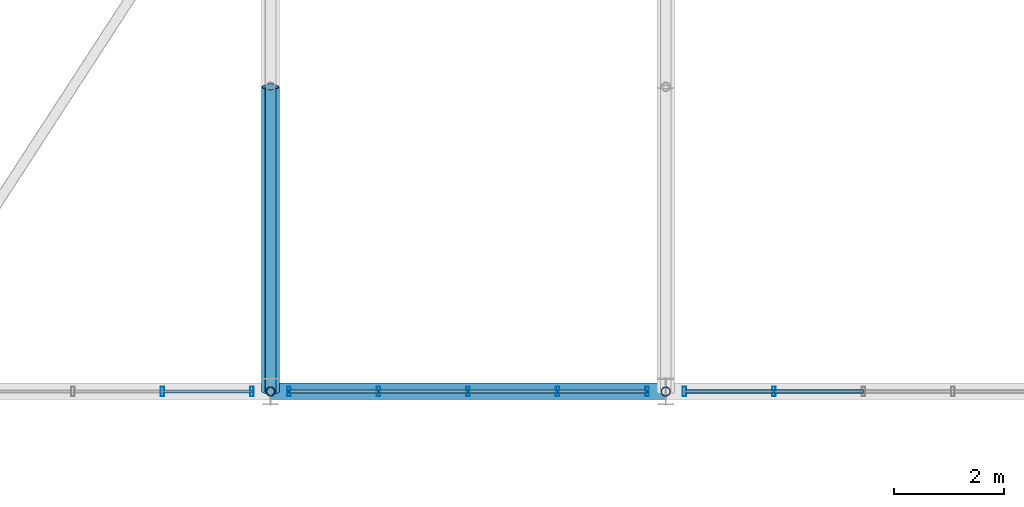
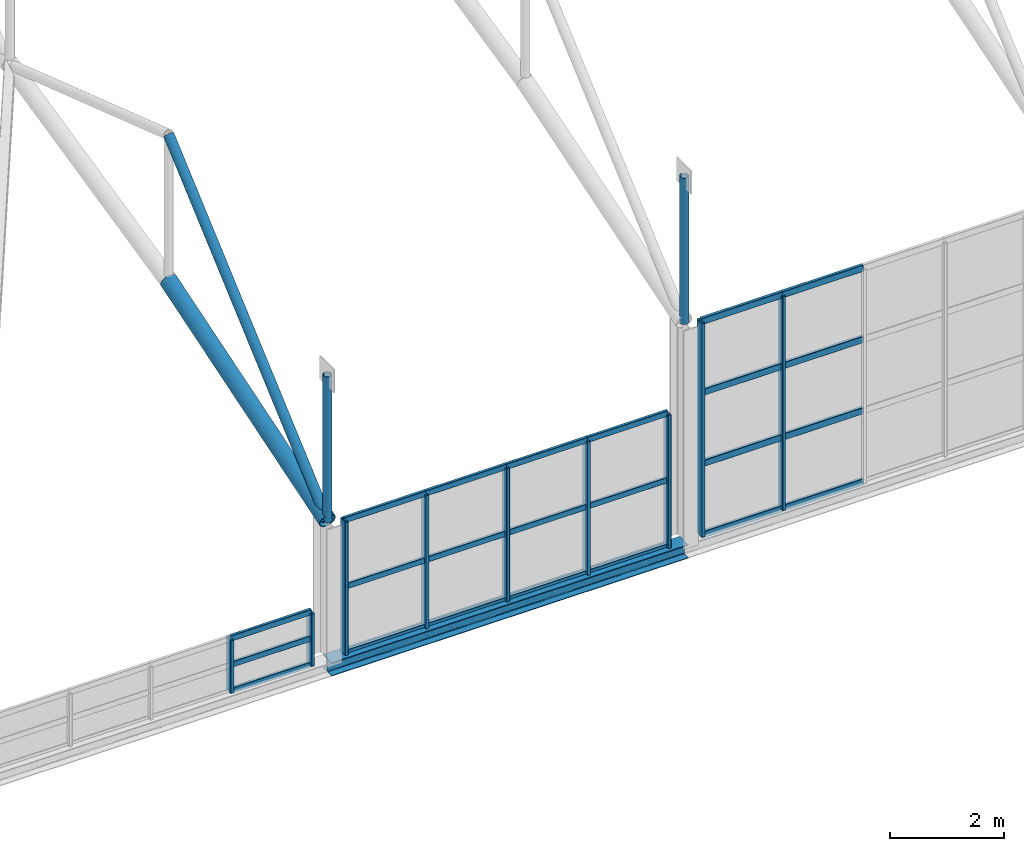
# One storey, part 40 of 153: 36 members, 1 beam, 3 elements without a shape of their own.
"""IFC4 building model written with IfcOpenShell, lengths in metres."""

from ifc_helpers import new_model, si_unit, derived_unit, direction, frame, origin, origin_2d, place, context, subcontext, project, spatial, hollow_rectangle, hollow_circle, i_section, extrude, material, material_profile, profile_set, type_object, element, aggregate, save


model = new_model("IFC4")

# Units and contexts
model_context = context("Model", 3, precision=1e-05, world=origin(), true_north=direction((0.0, 1.0)))
body_context = subcontext(model_context, "Body", "Model", "MODEL_VIEW")
ifc_project = project(units=[si_unit("LENGTHUNIT", "METRE"), si_unit("AREAUNIT", "SQUARE_METRE"), si_unit("VOLUMEUNIT", "CUBIC_METRE"), si_unit("PLANEANGLEUNIT", "RADIAN"), si_unit("MASSUNIT", "GRAM", prefix="KILO"), derived_unit("THERMALTRANSMITTANCEUNIT", [(si_unit("POWERUNIT", "WATT"), 1), (si_unit("LENGTHUNIT", "METRE"), -2), (si_unit("THERMODYNAMICTEMPERATUREUNIT", "KELVIN"), -1)])], contexts=[model_context])

# Site, building, storey
site_placement = place(None, origin())
site = spatial("IfcSite", under=ifc_project, at=site_placement, CompositionType="ELEMENT")
building_placement = place(site_placement, origin())
building = spatial("IfcBuilding", under=site, at=building_placement, Name="Keldorne Ridge Multi-Sports Centre", CompositionType="ELEMENT")
storey_placement = place(building_placement, frame((0.0, 0.0, 9.60009765625)))
storey = spatial("IfcBuildingStorey", under=building, at=storey_placement, Name="L02", CompositionType="ELEMENT", Elevation=9.60009765625)

# Beam
ifc_material_1 = material(Name="Steel S355", Category="steel")
ifc_material_profile_1 = material_profile(ifc_material_1, i_section(OverallWidth=0.300048828125, OverallDepth=0.2900390625, WebThickness=0.008544921875, FlangeThickness=0.013916015625, FilletRadius=0.027099609375, at=origin_2d()), Name="HEA 300")
ifc_profile_set_1 = profile_set([ifc_material_profile_1], Name="Steel S355")
beam_type = type_object("IfcBeamType", Name="BM-SP-04", PredefinedType="SPANDREL", material=ifc_profile_set_1)
beam_placement = place(storey_placement, frame((56.39990234375, 9.60009765625, -0.150146484375), z_axis=(1.0, 0.0, 0.0), x_axis=(0.0, 1.0, 0.0)))
element("IfcBeam", 1, at=beam_placement, inside=storey, type_object=beam_type, Name="Main Hall south spandrel L02.8", PredefinedType="SPANDREL", context=body_context, shape_type="SweptSolid", body=[
    extrude(i_section(OverallWidth=0.300048828125, OverallDepth=0.2900390625, WebThickness=0.008544921875, FlangeThickness=0.013916015625, FilletRadius=0.027099609375, at=origin_2d()), origin(), (0.0, 0.0, 1.0), 7.2001953125),
])

# Curtain wall, members
ifc_material_2 = material(Name="Anodized aluminium", Category="aluminium")
curtain_wall_type_1 = type_object("IfcCurtainWallType", Name="CW-CW-02", PredefinedType="NOTDEFINED", material=ifc_material_2)
curtain_wall_1_placement = place(storey_placement, origin())
curtain_wall_1 = element("IfcCurtainWall", 2, at=curtain_wall_1_placement, inside=storey, type_object=curtain_wall_type_1, Name="Main Hall south high clerestory 018", PredefinedType="NOTDEFINED")
ifc_material_profile_2 = material_profile(ifc_material_2, hollow_rectangle(XDim=0.06494140625, YDim=0.179931640625, WallThickness=0.00439453125, InnerFilletRadius=0.00439453125, OuterFilletRadius=0.009033203125, at=origin_2d()), Name="ALU MULLION 180x65x4.5")
ifc_profile_set_2 = profile_set([ifc_material_profile_2], Name="Anodized aluminium")
member_type_1 = type_object("IfcMemberType", Name="MEM-ML-01", PredefinedType="MULLION", material=ifc_profile_set_2)
member_1_placement = place(storey_placement, frame((54.429931640625, 9.60009765625, 0.0), z_axis=(0.0, 0.0, 1.0), x_axis=(1.0, 0.0, 0.0)))
member_1 = element("IfcMember", 3, at=member_1_placement, type_object=member_type_1, Name="CW-018 vertical mullion 4", PredefinedType="MULLION", context=body_context, shape_type="SweptSolid", body=[
    extrude(hollow_rectangle(XDim=0.06494140625, YDim=0.179931640625, WallThickness=0.00439453125, InnerFilletRadius=0.00439453125, OuterFilletRadius=0.009033203125, at=origin_2d()), origin(), (0.0, 0.0, 1.0), 1.119873046875),
])
member_2_placement = place(storey_placement, frame((56.06005859375, 9.60009765625, 0.0), z_axis=(0.0, 0.0, 1.0), x_axis=(1.0, 0.0, 0.0)))
member_2 = element("IfcMember", 4, at=member_2_placement, type_object=member_type_1, Name="CW-018 vertical mullion 5", PredefinedType="MULLION", context=body_context, shape_type="SweptSolid", body=[
    extrude(hollow_rectangle(XDim=0.06494140625, YDim=0.179931640625, WallThickness=0.00439453125, InnerFilletRadius=0.00439453125, OuterFilletRadius=0.009033203125, at=origin_2d()), origin(), (0.0, 0.0, 1.0), 1.119873046875),
])

curtain_wall_type_2 = type_object("IfcCurtainWallType", Name="CW-CW-05", PredefinedType="NOTDEFINED", material=ifc_material_2)
curtain_wall_2_placement = place(storey_placement, origin())
curtain_wall_2 = element("IfcCurtainWall", 5, at=curtain_wall_2_placement, inside=storey, type_object=curtain_wall_type_2, Name="Main Hall south high clerestory 021", PredefinedType="NOTDEFINED")
member_3_placement = place(storey_placement, frame((56.739990234375, 9.60009765625, 0.0), z_axis=(0.0, 0.0, 1.0), x_axis=(1.0, 0.0, 0.0)))
member_3 = element("IfcMember", 6, at=member_3_placement, type_object=member_type_1, Name="CW-021 vertical mullion 1", PredefinedType="MULLION", context=body_context, shape_type="SweptSolid", body=[
    extrude(hollow_rectangle(XDim=0.06494140625, YDim=0.179931640625, WallThickness=0.00439453125, InnerFilletRadius=0.00439453125, OuterFilletRadius=0.009033203125, at=origin_2d()), origin(), (0.0, 0.0, 1.0), 2.83984375),
])
member_4_placement = place(storey_placement, frame((58.3701171875, 9.60009765625, 0.0), z_axis=(0.0, 0.0, 1.0), x_axis=(1.0, 0.0, 0.0)))
member_4 = element("IfcMember", 7, at=member_4_placement, type_object=member_type_1, Name="CW-021 vertical mullion 2", PredefinedType="MULLION", context=body_context, shape_type="SweptSolid", body=[
    extrude(hollow_rectangle(XDim=0.06494140625, YDim=0.179931640625, WallThickness=0.00439453125, InnerFilletRadius=0.00439453125, OuterFilletRadius=0.009033203125, at=origin_2d()), origin(), (0.0, 0.0, 1.0), 2.83984375),
])
member_5_placement = place(storey_placement, frame((60.0, 9.60009765625, 0.0), z_axis=(0.0, 0.0, 1.0), x_axis=(1.0, 0.0, 0.0)))
member_5 = element("IfcMember", 8, at=member_5_placement, type_object=member_type_1, Name="CW-021 vertical mullion 3", PredefinedType="MULLION", context=body_context, shape_type="SweptSolid", body=[
    extrude(hollow_rectangle(XDim=0.06494140625, YDim=0.179931640625, WallThickness=0.00439453125, InnerFilletRadius=0.00439453125, OuterFilletRadius=0.009033203125, at=origin_2d()), origin(), (0.0, 0.0, 1.0), 2.83984375),
])
member_6_placement = place(storey_placement, frame((61.6298828125, 9.60009765625, 0.0), z_axis=(0.0, 0.0, 1.0), x_axis=(1.0, 0.0, 0.0)))
member_6 = element("IfcMember", 9, at=member_6_placement, type_object=member_type_1, Name="CW-021 vertical mullion 4", PredefinedType="MULLION", context=body_context, shape_type="SweptSolid", body=[
    extrude(hollow_rectangle(XDim=0.06494140625, YDim=0.179931640625, WallThickness=0.00439453125, InnerFilletRadius=0.00439453125, OuterFilletRadius=0.009033203125, at=origin_2d()), origin(), (0.0, 0.0, 1.0), 2.83984375),
])
member_7_placement = place(storey_placement, frame((63.260009765625, 9.60009765625, 0.0), z_axis=(0.0, 0.0, 1.0), x_axis=(1.0, 0.0, 0.0)))
member_7 = element("IfcMember", 10, at=member_7_placement, type_object=member_type_1, Name="CW-021 vertical mullion 5", PredefinedType="MULLION", context=body_context, shape_type="SweptSolid", body=[
    extrude(hollow_rectangle(XDim=0.06494140625, YDim=0.179931640625, WallThickness=0.00439453125, InnerFilletRadius=0.00439453125, OuterFilletRadius=0.009033203125, at=origin_2d()), origin(), (0.0, 0.0, 1.0), 2.83984375),
])

curtain_wall_type_3 = type_object("IfcCurtainWallType", Name="CW-CW-08", PredefinedType="NOTDEFINED", material=ifc_material_2)
curtain_wall_3_placement = place(storey_placement, origin())
curtain_wall_3 = element("IfcCurtainWall", 11, at=curtain_wall_3_placement, inside=storey, type_object=curtain_wall_type_3, Name="Main Hall south high clerestory 024", PredefinedType="NOTDEFINED")
member_8_placement = place(storey_placement, frame((63.93994140625, 9.60009765625, 0.0), z_axis=(0.0, 0.0, 1.0), x_axis=(1.0, 0.0, 0.0)))
member_8 = element("IfcMember", 12, at=member_8_placement, type_object=member_type_1, Name="CW-024 vertical mullion 1", PredefinedType="MULLION", context=body_context, shape_type="SweptSolid", body=[
    extrude(hollow_rectangle(XDim=0.06494140625, YDim=0.179931640625, WallThickness=0.00439453125, InnerFilletRadius=0.00439453125, OuterFilletRadius=0.009033203125, at=origin_2d()), origin(), (0.0, 0.0, 1.0), 4.559814453125),
])
member_9_placement = place(storey_placement, frame((65.570068359375, 9.60009765625, 0.0), z_axis=(0.0, 0.0, 1.0), x_axis=(1.0, 0.0, 0.0)))
member_9 = element("IfcMember", 13, at=member_9_placement, type_object=member_type_1, Name="CW-024 vertical mullion 2", PredefinedType="MULLION", context=body_context, shape_type="SweptSolid", body=[
    extrude(hollow_rectangle(XDim=0.06494140625, YDim=0.179931640625, WallThickness=0.00439453125, InnerFilletRadius=0.00439453125, OuterFilletRadius=0.009033203125, at=origin_2d()), origin(), (0.0, 0.0, 1.0), 4.559814453125),
])

# Members
ifc_material_profile_3 = material_profile(ifc_material_1, hollow_circle(Radius=0.161865234375, WallThickness=0.01611328125, at=origin_2d()), Name="CHS 323.9x16")
ifc_profile_set_3 = profile_set([ifc_material_profile_3], Name="Steel S355")
member_type_2 = type_object("IfcMemberType", Name="MEM-TC-02", PredefinedType="CHORD", material=ifc_profile_set_3)
member_10_placement = place(storey_placement, frame((56.39990234375, 9.60009765625, 2.93994140625), z_axis=(0.0, 0.953709395146, 0.300729761763), x_axis=(-1.0, 0.0, 0.0)))
element("IfcMember", 14, at=member_10_placement, inside=storey, type_object=member_type_2, Name="Main Hall ROOF TRUSS AT-08 bottom chord 1", PredefinedType="CHORD", context=body_context, shape_type="SweptSolid", body=[
    extrude(hollow_circle(Radius=0.161865234375, WallThickness=0.01611328125, at=origin_2d()), origin(), (0.0, 0.0, 1.0), 5.819091796875),
])
ifc_material_profile_4 = material_profile(ifc_material_1, hollow_circle(Radius=0.096923828125, WallThickness=0.010009765625, at=origin_2d()), Name="CHS 193.7x10")
ifc_profile_set_4 = profile_set([ifc_material_profile_4], Name="Steel S355")
member_type_3 = type_object("IfcMemberType", Name="MEM-TD-01", PredefinedType="BRACE", material=ifc_profile_set_4)
member_11_placement = place(storey_placement, frame((56.39990234375, 9.60009765625, 2.93994140625), z_axis=(0.0, 0.751650110512, 0.659562060285), x_axis=(-1.0, 0.0, 0.0)))
element("IfcMember", 15, at=member_11_placement, inside=storey, type_object=member_type_3, Name="Main Hall ROOF TRUSS AT-08 diagonal 1", PredefinedType="BRACE", context=body_context, shape_type="SweptSolid", body=[
    extrude(hollow_circle(Radius=0.096923828125, WallThickness=0.010009765625, at=origin_2d()), origin(), (0.0, 0.0, 1.0), 7.383544921875),
])

# Member
ifc_material_profile_5 = material_profile(ifc_material_2, hollow_rectangle(XDim=0.06494140625, YDim=0.139892578125, WallThickness=0.00439453125, InnerFilletRadius=0.00439453125, OuterFilletRadius=0.009033203125, at=origin_2d()), Name="ALU TRANSOM 140x65x4.5")
ifc_profile_set_5 = profile_set([ifc_material_profile_5], Name="Anodized aluminium")
member_type_4 = type_object("IfcMemberType", Name="MEM-TR-01", PredefinedType="USERDEFINED", material=ifc_profile_set_5)
member_12_placement = place(storey_placement, frame((63.93994140625, 9.60009765625, 0.0), z_axis=(1.0, 0.0, 0.0), x_axis=(0.0, 1.0, 0.0)))
member_12 = element("IfcMember", 16, at=member_12_placement, type_object=member_type_4, Name="CW-024 transom 1.1", ObjectType="TRANSOM", PredefinedType="USERDEFINED", context=body_context, shape_type="SweptSolid", body=[
    extrude(hollow_rectangle(XDim=0.06494140625, YDim=0.139892578125, WallThickness=0.00439453125, InnerFilletRadius=0.00439453125, OuterFilletRadius=0.009033203125, at=origin_2d()), origin(), (0.0, 0.0, 1.0), 1.630126953125),
])

member_13_placement = place(storey_placement, frame((63.93994140625, 9.60009765625, 1.52001953125), z_axis=(1.0, 0.0, 0.0), x_axis=(0.0, 1.0, 0.0)))
member_13 = element("IfcMember", 17, at=member_13_placement, type_object=member_type_4, Name="CW-024 transom 1.2", ObjectType="TRANSOM", PredefinedType="USERDEFINED", context=body_context, shape_type="SweptSolid", body=[
    extrude(hollow_rectangle(XDim=0.06494140625, YDim=0.139892578125, WallThickness=0.00439453125, InnerFilletRadius=0.00439453125, OuterFilletRadius=0.009033203125, at=origin_2d()), origin(), (0.0, 0.0, 1.0), 1.630126953125),
])

member_14_placement = place(storey_placement, frame((63.93994140625, 9.60009765625, 3.039794921875), z_axis=(1.0, 0.0, 0.0), x_axis=(0.0, 1.0, 0.0)))
member_14 = element("IfcMember", 18, at=member_14_placement, type_object=member_type_4, Name="CW-024 transom 1.3", ObjectType="TRANSOM", PredefinedType="USERDEFINED", context=body_context, shape_type="SweptSolid", body=[
    extrude(hollow_rectangle(XDim=0.06494140625, YDim=0.139892578125, WallThickness=0.00439453125, InnerFilletRadius=0.00439453125, OuterFilletRadius=0.009033203125, at=origin_2d()), origin(), (0.0, 0.0, 1.0), 1.630126953125),
])

member_15_placement = place(storey_placement, frame((63.93994140625, 9.60009765625, 4.559814453125), z_axis=(1.0, 0.0, 0.0), x_axis=(0.0, 1.0, 0.0)))
member_15 = element("IfcMember", 19, at=member_15_placement, type_object=member_type_4, Name="CW-024 transom 1.4", ObjectType="TRANSOM", PredefinedType="USERDEFINED", context=body_context, shape_type="SweptSolid", body=[
    extrude(hollow_rectangle(XDim=0.06494140625, YDim=0.139892578125, WallThickness=0.00439453125, InnerFilletRadius=0.00439453125, OuterFilletRadius=0.009033203125, at=origin_2d()), origin(), (0.0, 0.0, 1.0), 1.630126953125),
])

member_16_placement = place(storey_placement, frame((65.570068359375, 9.60009765625, 0.0), z_axis=(1.0, 0.0, 0.0), x_axis=(0.0, 1.0, 0.0)))
member_16 = element("IfcMember", 20, at=member_16_placement, type_object=member_type_4, Name="CW-024 transom 2.1", ObjectType="TRANSOM", PredefinedType="USERDEFINED", context=body_context, shape_type="SweptSolid", body=[
    extrude(hollow_rectangle(XDim=0.06494140625, YDim=0.139892578125, WallThickness=0.00439453125, InnerFilletRadius=0.00439453125, OuterFilletRadius=0.009033203125, at=origin_2d()), origin(), (0.0, 0.0, 1.0), 1.6298828125),
])

member_17_placement = place(storey_placement, frame((65.570068359375, 9.60009765625, 1.52001953125), z_axis=(1.0, 0.0, 0.0), x_axis=(0.0, 1.0, 0.0)))
member_17 = element("IfcMember", 21, at=member_17_placement, type_object=member_type_4, Name="CW-024 transom 2.2", ObjectType="TRANSOM", PredefinedType="USERDEFINED", context=body_context, shape_type="SweptSolid", body=[
    extrude(hollow_rectangle(XDim=0.06494140625, YDim=0.139892578125, WallThickness=0.00439453125, InnerFilletRadius=0.00439453125, OuterFilletRadius=0.009033203125, at=origin_2d()), origin(), (0.0, 0.0, 1.0), 1.6298828125),
])

member_18_placement = place(storey_placement, frame((65.570068359375, 9.60009765625, 3.039794921875), z_axis=(1.0, 0.0, 0.0), x_axis=(0.0, 1.0, 0.0)))
member_18 = element("IfcMember", 22, at=member_18_placement, type_object=member_type_4, Name="CW-024 transom 2.3", ObjectType="TRANSOM", PredefinedType="USERDEFINED", context=body_context, shape_type="SweptSolid", body=[
    extrude(hollow_rectangle(XDim=0.06494140625, YDim=0.139892578125, WallThickness=0.00439453125, InnerFilletRadius=0.00439453125, OuterFilletRadius=0.009033203125, at=origin_2d()), origin(), (0.0, 0.0, 1.0), 1.6298828125),
])

member_19_placement = place(storey_placement, frame((65.570068359375, 9.60009765625, 4.559814453125), z_axis=(1.0, 0.0, 0.0), x_axis=(0.0, 1.0, 0.0)))
member_19 = element("IfcMember", 23, at=member_19_placement, type_object=member_type_4, Name="CW-024 transom 2.4", ObjectType="TRANSOM", PredefinedType="USERDEFINED", context=body_context, shape_type="SweptSolid", body=[
    extrude(hollow_rectangle(XDim=0.06494140625, YDim=0.139892578125, WallThickness=0.00439453125, InnerFilletRadius=0.00439453125, OuterFilletRadius=0.009033203125, at=origin_2d()), origin(), (0.0, 0.0, 1.0), 1.6298828125),
])

aggregate(curtain_wall_3, [member_8, member_9, member_12, member_13, member_14, member_15, member_16, member_17, member_18, member_19])

ifc_material_profile_6 = material_profile(ifc_material_2, hollow_rectangle(XDim=0.06005859375, YDim=0.1201171875, WallThickness=0.00390625, InnerFilletRadius=0.00390625, OuterFilletRadius=0.008056640625, at=origin_2d()), Name="ALU TRANSOM 120x60x4")
ifc_profile_set_6 = profile_set([ifc_material_profile_6], Name="Anodized aluminium")
member_type_5 = type_object("IfcMemberType", Name="MEM-TR-02", PredefinedType="USERDEFINED", material=ifc_profile_set_6)
member_20_placement = place(storey_placement, frame((54.429931640625, 9.60009765625, 0.0), z_axis=(1.0, 0.0, 0.0), x_axis=(0.0, 1.0, 0.0)))
member_20 = element("IfcMember", 24, at=member_20_placement, type_object=member_type_5, Name="CW-018 transom 4.1", ObjectType="TRANSOM", PredefinedType="USERDEFINED", context=body_context, shape_type="SweptSolid", body=[
    extrude(hollow_rectangle(XDim=0.06005859375, YDim=0.1201171875, WallThickness=0.00390625, InnerFilletRadius=0.00390625, OuterFilletRadius=0.008056640625, at=origin_2d()), origin(), (0.0, 0.0, 1.0), 1.630126953125),
])

member_21_placement = place(storey_placement, frame((54.429931640625, 9.60009765625, 0.559814453125), z_axis=(1.0, 0.0, 0.0), x_axis=(0.0, 1.0, 0.0)))
member_21 = element("IfcMember", 25, at=member_21_placement, type_object=member_type_5, Name="CW-018 transom 4.2", ObjectType="TRANSOM", PredefinedType="USERDEFINED", context=body_context, shape_type="SweptSolid", body=[
    extrude(hollow_rectangle(XDim=0.06005859375, YDim=0.1201171875, WallThickness=0.00390625, InnerFilletRadius=0.00390625, OuterFilletRadius=0.008056640625, at=origin_2d()), origin(), (0.0, 0.0, 1.0), 1.630126953125),
])

member_22_placement = place(storey_placement, frame((54.429931640625, 9.60009765625, 1.119873046875), z_axis=(1.0, 0.0, 0.0), x_axis=(0.0, 1.0, 0.0)))
member_22 = element("IfcMember", 26, at=member_22_placement, type_object=member_type_5, Name="CW-018 transom 4.3", ObjectType="TRANSOM", PredefinedType="USERDEFINED", context=body_context, shape_type="SweptSolid", body=[
    extrude(hollow_rectangle(XDim=0.06005859375, YDim=0.1201171875, WallThickness=0.00390625, InnerFilletRadius=0.00390625, OuterFilletRadius=0.008056640625, at=origin_2d()), origin(), (0.0, 0.0, 1.0), 1.630126953125),
])

aggregate(curtain_wall_1, [member_1, member_2, member_20, member_21, member_22])

member_23_placement = place(storey_placement, frame((56.739990234375, 9.60009765625, 0.0), z_axis=(1.0, 0.0, 0.0), x_axis=(0.0, 1.0, 0.0)))
member_23 = element("IfcMember", 27, at=member_23_placement, type_object=member_type_5, Name="CW-021 transom 1.1", ObjectType="TRANSOM", PredefinedType="USERDEFINED", context=body_context, shape_type="SweptSolid", body=[
    extrude(hollow_rectangle(XDim=0.06005859375, YDim=0.1201171875, WallThickness=0.00390625, InnerFilletRadius=0.00390625, OuterFilletRadius=0.008056640625, at=origin_2d()), origin(), (0.0, 0.0, 1.0), 1.630126953125),
])

member_24_placement = place(storey_placement, frame((56.739990234375, 9.60009765625, 1.419921875), z_axis=(1.0, 0.0, 0.0), x_axis=(0.0, 1.0, 0.0)))
member_24 = element("IfcMember", 28, at=member_24_placement, type_object=member_type_5, Name="CW-021 transom 1.2", ObjectType="TRANSOM", PredefinedType="USERDEFINED", context=body_context, shape_type="SweptSolid", body=[
    extrude(hollow_rectangle(XDim=0.06005859375, YDim=0.1201171875, WallThickness=0.00390625, InnerFilletRadius=0.00390625, OuterFilletRadius=0.008056640625, at=origin_2d()), origin(), (0.0, 0.0, 1.0), 1.630126953125),
])

member_25_placement = place(storey_placement, frame((56.739990234375, 9.60009765625, 2.83984375), z_axis=(1.0, 0.0, 0.0), x_axis=(0.0, 1.0, 0.0)))
member_25 = element("IfcMember", 29, at=member_25_placement, type_object=member_type_5, Name="CW-021 transom 1.3", ObjectType="TRANSOM", PredefinedType="USERDEFINED", context=body_context, shape_type="SweptSolid", body=[
    extrude(hollow_rectangle(XDim=0.06005859375, YDim=0.1201171875, WallThickness=0.00390625, InnerFilletRadius=0.00390625, OuterFilletRadius=0.008056640625, at=origin_2d()), origin(), (0.0, 0.0, 1.0), 1.630126953125),
])

member_26_placement = place(storey_placement, frame((58.3701171875, 9.60009765625, 0.0), z_axis=(1.0, 0.0, 0.0), x_axis=(0.0, 1.0, 0.0)))
member_26 = element("IfcMember", 30, at=member_26_placement, type_object=member_type_5, Name="CW-021 transom 2.1", ObjectType="TRANSOM", PredefinedType="USERDEFINED", context=body_context, shape_type="SweptSolid", body=[
    extrude(hollow_rectangle(XDim=0.06005859375, YDim=0.1201171875, WallThickness=0.00390625, InnerFilletRadius=0.00390625, OuterFilletRadius=0.008056640625, at=origin_2d()), origin(), (0.0, 0.0, 1.0), 1.6298828125),
])

member_27_placement = place(storey_placement, frame((58.3701171875, 9.60009765625, 1.419921875), z_axis=(1.0, 0.0, 0.0), x_axis=(0.0, 1.0, 0.0)))
member_27 = element("IfcMember", 31, at=member_27_placement, type_object=member_type_5, Name="CW-021 transom 2.2", ObjectType="TRANSOM", PredefinedType="USERDEFINED", context=body_context, shape_type="SweptSolid", body=[
    extrude(hollow_rectangle(XDim=0.06005859375, YDim=0.1201171875, WallThickness=0.00390625, InnerFilletRadius=0.00390625, OuterFilletRadius=0.008056640625, at=origin_2d()), origin(), (0.0, 0.0, 1.0), 1.6298828125),
])

member_28_placement = place(storey_placement, frame((58.3701171875, 9.60009765625, 2.83984375), z_axis=(1.0, 0.0, 0.0), x_axis=(0.0, 1.0, 0.0)))
member_28 = element("IfcMember", 32, at=member_28_placement, type_object=member_type_5, Name="CW-021 transom 2.3", ObjectType="TRANSOM", PredefinedType="USERDEFINED", context=body_context, shape_type="SweptSolid", body=[
    extrude(hollow_rectangle(XDim=0.06005859375, YDim=0.1201171875, WallThickness=0.00390625, InnerFilletRadius=0.00390625, OuterFilletRadius=0.008056640625, at=origin_2d()), origin(), (0.0, 0.0, 1.0), 1.6298828125),
])

member_29_placement = place(storey_placement, frame((60.0, 9.60009765625, 0.0), z_axis=(1.0, 0.0, 0.0), x_axis=(0.0, 1.0, 0.0)))
member_29 = element("IfcMember", 33, at=member_29_placement, type_object=member_type_5, Name="CW-021 transom 3.1", ObjectType="TRANSOM", PredefinedType="USERDEFINED", context=body_context, shape_type="SweptSolid", body=[
    extrude(hollow_rectangle(XDim=0.06005859375, YDim=0.1201171875, WallThickness=0.00390625, InnerFilletRadius=0.00390625, OuterFilletRadius=0.008056640625, at=origin_2d()), origin(), (0.0, 0.0, 1.0), 1.6298828125),
])

member_30_placement = place(storey_placement, frame((60.0, 9.60009765625, 1.419921875), z_axis=(1.0, 0.0, 0.0), x_axis=(0.0, 1.0, 0.0)))
member_30 = element("IfcMember", 34, at=member_30_placement, type_object=member_type_5, Name="CW-021 transom 3.2", ObjectType="TRANSOM", PredefinedType="USERDEFINED", context=body_context, shape_type="SweptSolid", body=[
    extrude(hollow_rectangle(XDim=0.06005859375, YDim=0.1201171875, WallThickness=0.00390625, InnerFilletRadius=0.00390625, OuterFilletRadius=0.008056640625, at=origin_2d()), origin(), (0.0, 0.0, 1.0), 1.6298828125),
])

member_31_placement = place(storey_placement, frame((60.0, 9.60009765625, 2.83984375), z_axis=(1.0, 0.0, 0.0), x_axis=(0.0, 1.0, 0.0)))
member_31 = element("IfcMember", 35, at=member_31_placement, type_object=member_type_5, Name="CW-021 transom 3.3", ObjectType="TRANSOM", PredefinedType="USERDEFINED", context=body_context, shape_type="SweptSolid", body=[
    extrude(hollow_rectangle(XDim=0.06005859375, YDim=0.1201171875, WallThickness=0.00390625, InnerFilletRadius=0.00390625, OuterFilletRadius=0.008056640625, at=origin_2d()), origin(), (0.0, 0.0, 1.0), 1.6298828125),
])

member_32_placement = place(storey_placement, frame((61.6298828125, 9.60009765625, 0.0), z_axis=(1.0, 0.0, 0.0), x_axis=(0.0, 1.0, 0.0)))
member_32 = element("IfcMember", 36, at=member_32_placement, type_object=member_type_5, Name="CW-021 transom 4.1", ObjectType="TRANSOM", PredefinedType="USERDEFINED", context=body_context, shape_type="SweptSolid", body=[
    extrude(hollow_rectangle(XDim=0.06005859375, YDim=0.1201171875, WallThickness=0.00390625, InnerFilletRadius=0.00390625, OuterFilletRadius=0.008056640625, at=origin_2d()), origin(), (0.0, 0.0, 1.0), 1.630126953125),
])

member_33_placement = place(storey_placement, frame((61.6298828125, 9.60009765625, 1.419921875), z_axis=(1.0, 0.0, 0.0), x_axis=(0.0, 1.0, 0.0)))
member_33 = element("IfcMember", 37, at=member_33_placement, type_object=member_type_5, Name="CW-021 transom 4.2", ObjectType="TRANSOM", PredefinedType="USERDEFINED", context=body_context, shape_type="SweptSolid", body=[
    extrude(hollow_rectangle(XDim=0.06005859375, YDim=0.1201171875, WallThickness=0.00390625, InnerFilletRadius=0.00390625, OuterFilletRadius=0.008056640625, at=origin_2d()), origin(), (0.0, 0.0, 1.0), 1.630126953125),
])

member_34_placement = place(storey_placement, frame((61.6298828125, 9.60009765625, 2.83984375), z_axis=(1.0, 0.0, 0.0), x_axis=(0.0, 1.0, 0.0)))
member_34 = element("IfcMember", 38, at=member_34_placement, type_object=member_type_5, Name="CW-021 transom 4.3", ObjectType="TRANSOM", PredefinedType="USERDEFINED", context=body_context, shape_type="SweptSolid", body=[
    extrude(hollow_rectangle(XDim=0.06005859375, YDim=0.1201171875, WallThickness=0.00390625, InnerFilletRadius=0.00390625, OuterFilletRadius=0.008056640625, at=origin_2d()), origin(), (0.0, 0.0, 1.0), 1.630126953125),
])

aggregate(curtain_wall_2, [member_3, member_4, member_5, member_6, member_7, member_23, member_24, member_25, member_26, member_27, member_28, member_29, member_30, member_31, member_32, member_33, member_34])

# Members
ifc_material_profile_7 = material_profile(ifc_material_1, hollow_circle(Radius=0.084228515625, WallThickness=0.010009765625, at=origin_2d()), Name="CHS 168.3x10")
ifc_profile_set_7 = profile_set([ifc_material_profile_7], Name="Steel S355")
member_type_6 = type_object("IfcMemberType", Name="MEM-TV-01", PredefinedType="STRUT", material=ifc_profile_set_7)
for number, where, z_axis, x_axis, name in (
    (39, (56.39990234375, 9.60009765625, 2.93994140625), (0.0, 0.0, 1.0), (1.0, 0.0, 0.0), "Main Hall ROOF TRUSS AT-08 vertical 1"),
    (40, (63.60009765625, 9.60009765625, 4.659912109375), (0.0, 0.0, 1.0), (1.0, 0.0, 0.0), "Main Hall ROOF TRUSS AT-09 vertical 1"),
):
    element("IfcMember", number, at=place(storey_placement, frame(where, z_axis=z_axis, x_axis=x_axis)), inside=storey, type_object=member_type_6, Name=name, PredefinedType="STRUT", context=body_context, shape_type="SweptSolid", body=[
        extrude(hollow_circle(Radius=0.084228515625, WallThickness=0.010009765625, at=origin_2d()), origin(), (0.0, 0.0, 1.0), 3.119873046875),
    ])

save(model, "model.ifc")
